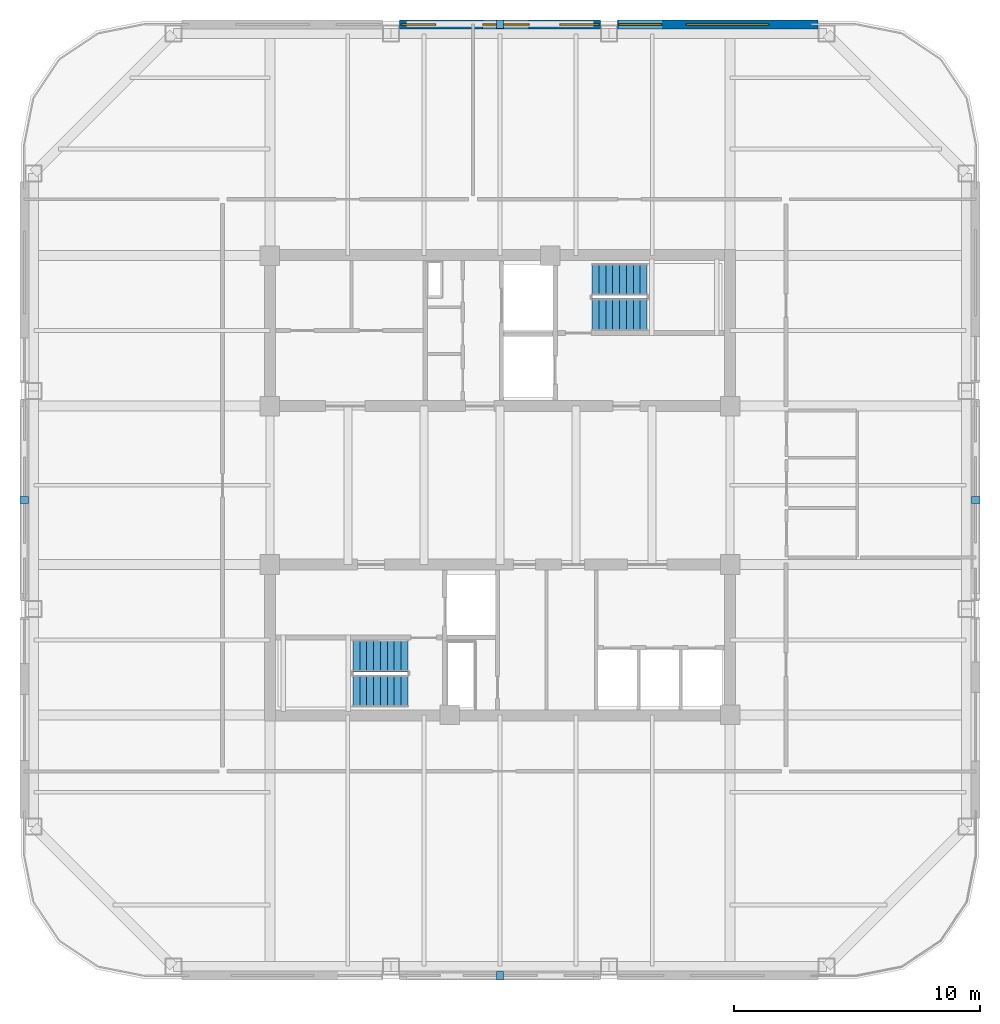
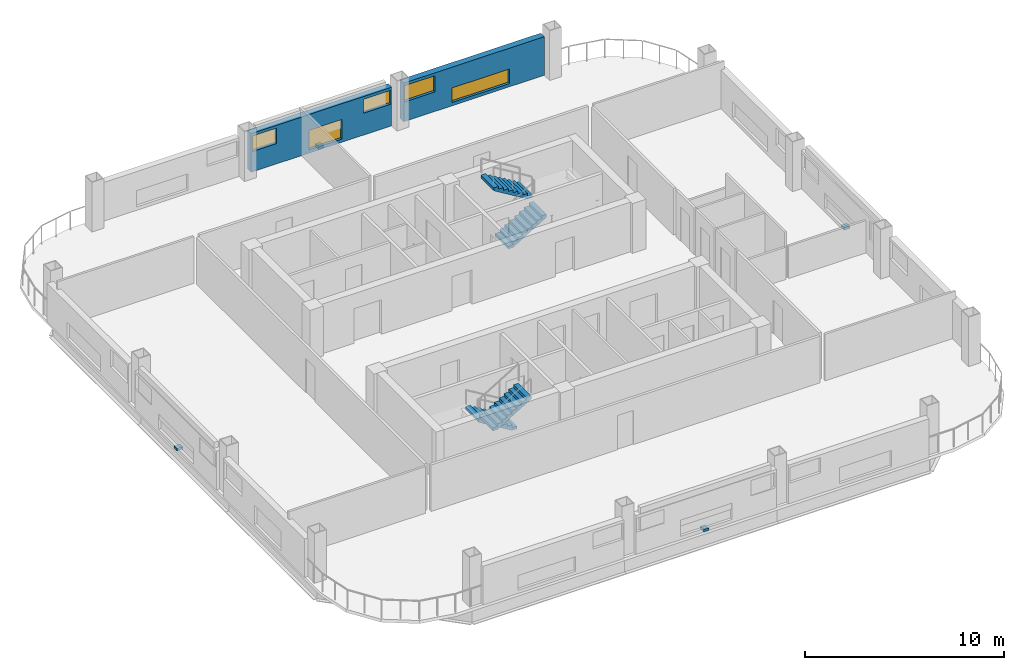
# One storey, part 5 of 8: 5 windows, 4 discrete accessories, 4 stair flights, 2 walls, 5 openings, 2 elements without a shape of their own.
"""IFC4 building model written with IfcOpenShell, lengths in metres."""

from ifc_helpers import new_model, si_unit, direction, frame, frame_2d, origin, origin_2d, place, context, subcontext, project, spatial, polyline, rectangle, outline, extrude, material, layer, layer_set, type_object, element, fill, aggregate, save


model = new_model("IFC4")

# Units and contexts
model_context = context("Model", 3, precision=1e-05, world=origin(), true_north=direction((0.0, 1.0)))
body_context = subcontext(model_context, "Body", "Model", "MODEL_VIEW")
ifc_project = project(units=[si_unit("LENGTHUNIT", "METRE"), si_unit("AREAUNIT", "SQUARE_METRE"), si_unit("VOLUMEUNIT", "CUBIC_METRE"), si_unit("PLANEANGLEUNIT", "RADIAN"), si_unit("MASSUNIT", "GRAM", prefix="KILO")], contexts=[model_context])

# Site, building, storey
site_placement = place(None, origin())
site = spatial("IfcSite", under=ifc_project, at=site_placement, CompositionType="ELEMENT")
building_placement = place(site_placement, origin())
building = spatial("IfcBuilding", under=site, at=building_placement, Name="Qhalaya Broadcast Tower", CompositionType="ELEMENT")
storey_placement = place(building_placement, frame((0.0, 0.0, 202.550048828125)))
storey = spatial("IfcBuildingStorey", under=building, at=storey_placement, Name="L59", CompositionType="ELEMENT", Elevation=202.550048828125)

# Wall, openings, windows
ifc_material_1 = material(Name="Precast Concrete C40/50", Category="concrete")
ifc_layer = layer(ifc_material_1, 0.360107421875, Name="Precast Concrete C40/50")
ifc_layer_set = layer_set([ifc_layer], Name="Precast Concrete C40/50")
wall_type = type_object("IfcWallType", Name="Insulated Precast Terracotta Exterior Wall 360", PredefinedType="SOLIDWALL", material=ifc_layer_set)
wall_1_placement = place(storey_placement, frame((-4.083251953125, 19.360107421875, 0.0), z_axis=(0.0, 0.0, 1.0), x_axis=(1.0, 0.0, 0.0)))
wall_1 = element("IfcWall", 1, at=wall_1_placement, inside=storey, type_object=wall_type, Name="L59 Exoskeleton Diagrid Infill Wall N2", PredefinedType="SOLIDWALL", context=body_context, shape_type="SweptSolid", body=[
    extrude(rectangle(XDim=8.16650390625, YDim=0.360107421875, at=frame_2d((4.083251953125, 0.0))), origin(), (0.0, 0.0, 1.0), 2.3740234375),
])
opening_1_placement = place(wall_1_placement, frame((0.071044921875, 0.0, 1.25)))
opening_1 = element("IfcOpeningElement", 2, at=opening_1_placement, cuts=wall_1, Name="Opening W13", PredefinedType="OPENING", context=body_context, shape_type="SweptSolid", body=[
    extrude(rectangle(XDim=1.39990234375, YDim=0.949951171875, at=frame_2d((0.699951171875, 0.47509765625))), frame((0.0, 0.192138671875, 0.0), z_axis=(0.0, -1.0, 0.0), x_axis=(1.0, 0.0, 0.0)), (0.0, 0.0, 1.0), 0.384033203125),
])
opening_2_placement = place(wall_1_placement, frame((3.37109375, 0.0, 0.199951171875)))
opening_2 = element("IfcOpeningElement", 3, at=opening_2_placement, cuts=wall_1, Name="Opening W13", PredefinedType="OPENING", context=body_context, shape_type="SweptSolid", body=[
    extrude(rectangle(XDim=1.89990234375, YDim=1.199951171875, at=frame_2d((0.949951171875, 0.60009765625))), frame((0.0, 0.192138671875, 0.0), z_axis=(0.0, -1.0, 0.0), x_axis=(1.0, 0.0, 0.0)), (0.0, 0.0, 1.0), 0.384033203125),
])
opening_3_placement = place(wall_1_placement, frame((6.52099609375, 0.0, 1.35009765625)))
opening_3 = element("IfcOpeningElement", 4, at=opening_3_placement, cuts=wall_1, Name="Opening W13", PredefinedType="OPENING", context=body_context, shape_type="SweptSolid", body=[
    extrude(rectangle(XDim=1.60009765625, YDim=0.85009765625, at=frame_2d((0.800048828125, 0.425048828125))), frame((0.0, 0.192138671875, 0.0), z_axis=(0.0, -1.0, 0.0), x_axis=(1.0, 0.0, 0.0)), (0.0, 0.0, 1.0), 0.384033203125),
])
ifc_material_2 = material(Name="Solar-Control Low-E Triple Glazing", Category="glass")
window_type = type_object("IfcWindowType", Name="Upper-Block Diagrid Infill Window W13", PartitioningType="SINGLE_PANEL", PredefinedType="WINDOW", material=ifc_material_2)
window_1_placement = place(opening_1_placement, origin())
window_1 = element("IfcWindow", 5, at=window_1_placement, inside=storey, type_object=window_type, Name="L59 Diagrid Infill Window W13-N3", OverallHeight=0.949951171875, OverallWidth=1.39990234375, PartitioningType="SINGLE_PANEL", PredefinedType="WINDOW", context=body_context, shape_type="SweptSolid", body=[
    extrude(rectangle(XDim=1.39990234375, YDim=0.949951171875, at=frame_2d((0.699951171875, 0.47509765625))), frame((0.0, 0.030029296875, 0.0), z_axis=(0.0, -1.0, 0.0), x_axis=(1.0, 0.0, 0.0)), (0.0, 0.0, 1.0), 0.06005859375),
])
fill(opening_1, window_1)
window_2_placement = place(opening_2_placement, origin())
window_2 = element("IfcWindow", 6, at=window_2_placement, inside=storey, type_object=window_type, Name="L59 Diagrid Infill Window W13-N4", OverallHeight=1.199951171875, OverallWidth=1.89990234375, PartitioningType="SINGLE_PANEL", PredefinedType="WINDOW", context=body_context, shape_type="SweptSolid", body=[
    extrude(rectangle(XDim=1.89990234375, YDim=1.199951171875, at=frame_2d((0.949951171875, 0.60009765625))), frame((0.0, 0.030029296875, 0.0), z_axis=(0.0, -1.0, 0.0), x_axis=(1.0, 0.0, 0.0)), (0.0, 0.0, 1.0), 0.06005859375),
])
fill(opening_2, window_2)
window_3_placement = place(opening_3_placement, origin())
window_3 = element("IfcWindow", 7, at=window_3_placement, inside=storey, type_object=window_type, Name="L59 Diagrid Infill Window W13-N5", OverallHeight=0.85009765625, OverallWidth=1.60009765625, PartitioningType="SINGLE_PANEL", PredefinedType="WINDOW", context=body_context, shape_type="SweptSolid", body=[
    extrude(rectangle(XDim=1.60009765625, YDim=0.85009765625, at=frame_2d((0.800048828125, 0.425048828125))), frame((0.0, 0.030029296875, 0.0), z_axis=(0.0, -1.0, 0.0), x_axis=(1.0, 0.0, 0.0)), (0.0, 0.0, 1.0), 0.06005859375),
])
fill(opening_3, window_3)

wall_2_placement = place(storey_placement, frame((4.783203125, 19.360107421875, 0.0), z_axis=(0.0, 0.0, 1.0), x_axis=(1.0, 0.0, 0.0)))
wall_2 = element("IfcWall", 8, at=wall_2_placement, inside=storey, type_object=wall_type, Name="L59 Exoskeleton Diagrid Infill Wall N3", PredefinedType="SOLIDWALL", context=body_context, shape_type="SweptSolid", body=[
    extrude(rectangle(XDim=8.1787109375, YDim=0.360107421875, at=frame_2d((4.08935546875, 0.0))), origin(), (0.0, 0.0, 1.0), 2.3740234375),
])
opening_4_placement = place(wall_2_placement, frame((0.054931640625, 0.0, 1.199951171875)))
opening_4 = element("IfcOpeningElement", 9, at=opening_4_placement, cuts=wall_2, Name="Opening W13", PredefinedType="OPENING", context=body_context, shape_type="SweptSolid", body=[
    extrude(rectangle(XDim=1.75, YDim=1.0, at=frame_2d((0.875, 0.5))), frame((0.0, 0.192138671875, 0.0), z_axis=(0.0, -1.0, 0.0), x_axis=(1.0, 0.0, 0.0)), (0.0, 0.0, 1.0), 0.384033203125),
])
opening_5_placement = place(wall_2_placement, frame((2.804931640625, 0.0, 0.199951171875)))
opening_5 = element("IfcOpeningElement", 10, at=opening_5_placement, cuts=wall_2, Name="Opening W13", PredefinedType="OPENING", context=body_context, shape_type="SweptSolid", body=[
    extrude(rectangle(XDim=3.35009765625, YDim=0.89990234375, at=frame_2d((1.675048828125, 0.449951171875))), frame((0.0, 0.192138671875, 0.0), z_axis=(0.0, -1.0, 0.0), x_axis=(1.0, 0.0, 0.0)), (0.0, 0.0, 1.0), 0.384033203125),
])
window_4_placement = place(opening_4_placement, origin())
window_4 = element("IfcWindow", 11, at=window_4_placement, inside=storey, type_object=window_type, Name="L59 Diagrid Infill Window W13-N6", OverallHeight=1.0, OverallWidth=1.75, PartitioningType="SINGLE_PANEL", PredefinedType="WINDOW", context=body_context, shape_type="SweptSolid", body=[
    extrude(rectangle(XDim=1.75, YDim=1.0, at=frame_2d((0.875, 0.5))), frame((0.0, 0.030029296875, 0.0), z_axis=(0.0, -1.0, 0.0), x_axis=(1.0, 0.0, 0.0)), (0.0, 0.0, 1.0), 0.06005859375),
])
fill(opening_4, window_4)
window_5_placement = place(opening_5_placement, origin())
window_5 = element("IfcWindow", 12, at=window_5_placement, inside=storey, type_object=window_type, Name="L59 Diagrid Infill Window W13-N7", OverallHeight=0.89990234375, OverallWidth=3.35009765625, PartitioningType="SINGLE_PANEL", PredefinedType="WINDOW", context=body_context, shape_type="SweptSolid", body=[
    extrude(rectangle(XDim=3.35009765625, YDim=0.89990234375, at=frame_2d((1.675048828125, 0.449951171875))), frame((0.0, 0.030029296875, 0.0), z_axis=(0.0, -1.0, 0.0), x_axis=(1.0, 0.0, 0.0)), (0.0, 0.0, 1.0), 0.06005859375),
])
fill(opening_5, window_5)

# Stair, stair flights
ifc_material_3 = material(Name="Concrete C40/50", Category="concrete")
stair_type = type_object("IfcStairType", Name="Protected Dogleg Core Stair 3150", PredefinedType="TWO_STRAIGHT_RUN_STAIR", material=ifc_material_3)
stair_1_placement = place(storey_placement, origin())
stair_1 = element("IfcStair", 13, at=stair_1_placement, inside=storey, type_object=stair_type, Name="L59 North Core Exit Stair ST-1", PredefinedType="TWO_STRAIGHT_RUN_STAIR")
stair_flight_type = type_object("IfcStairFlightType", Name="Precast Concrete Stair Flight 3150", PredefinedType="STRAIGHT", material=ifc_material_1)
stair_flight_1_placement = place(storey_placement, frame((3.75, 7.5400390625, 0.0), z_axis=(0.0, 0.0, 1.0), x_axis=(1.0, 0.0, 0.0)))
stair_flight_1 = element("IfcStairFlight", 14, at=stair_flight_1_placement, type_object=stair_flight_type, Name="ST-1 flight 1", NumberOfRisers=9, NumberOfTreads=8, PredefinedType="STRAIGHT", RiserHeight=0.169444444, TreadLength=0.28, context=body_context, shape_type="SweptSolid", body=[
    extrude(outline(polyline([(0.0, 0.0), (0.0, 0.16943359375), (0.280029296875, 0.16943359375), (0.280029296875, 0.3388671875), (0.56005859375, 0.3388671875), (0.56005859375, 0.50830078125), (0.840087890625, 0.50830078125), (0.840087890625, 0.677734375), (1.1201171875, 0.677734375), (1.1201171875, 0.84716796875), (1.39990234375, 0.84716796875), (1.39990234375, 1.0166015625), (1.679931640625, 1.0166015625), (1.679931640625, 1.18603515625), (1.9599609375, 1.18603515625), (1.9599609375, 1.35546875), (2.239990234375, 1.35546875), (2.239990234375, 1.52490234375), (2.239990234375, 1.180419921875), (0.28955078125, 0.0), (0.0, 0.0)])), frame((0.0, 0.66015625, 0.0), z_axis=(0.0, -1.0, 0.0), x_axis=(1.0, 0.0, 0.0)), (0.0, 0.0, 1.0), 1.320068359375),
])
stair_flight_2_placement = place(storey_placement, frame((5.989990234375, 8.97998046875, 1.52490234375), z_axis=(0.0, 0.0, 1.0), x_axis=(-1.0, 0.0, 0.0)))
stair_flight_2 = element("IfcStairFlight", 15, at=stair_flight_2_placement, type_object=stair_flight_type, Name="ST-1 flight 2", NumberOfRisers=9, NumberOfTreads=8, PredefinedType="STRAIGHT", RiserHeight=0.169444444, TreadLength=0.28, context=body_context, shape_type="SweptSolid", body=[
    extrude(outline(polyline([(0.0, 0.0), (0.0, 0.16943359375), (0.280029296875, 0.16943359375), (0.280029296875, 0.3388671875), (0.56005859375, 0.3388671875), (0.56005859375, 0.50830078125), (0.840087890625, 0.50830078125), (0.840087890625, 0.677734375), (1.1201171875, 0.677734375), (1.1201171875, 0.84716796875), (1.39990234375, 0.84716796875), (1.39990234375, 1.0166015625), (1.679931640625, 1.0166015625), (1.679931640625, 1.18603515625), (1.9599609375, 1.18603515625), (1.9599609375, 1.35546875), (2.239990234375, 1.35546875), (2.239990234375, 1.52490234375), (2.239990234375, 1.180419921875), (0.28955078125, 0.0), (0.0, 0.0)])), frame((0.0, 0.66015625, 0.0), z_axis=(0.0, -1.0, 0.0), x_axis=(1.0, 0.0, 0.0)), (0.0, 0.0, 1.0), 1.320068359375),
])
aggregate(stair_1, [stair_flight_1, stair_flight_2])

stair_2_placement = place(storey_placement, origin())
stair_2 = element("IfcStair", 16, at=stair_2_placement, inside=storey, type_object=stair_type, Name="L59 South Core Exit Stair ST-2", PredefinedType="TWO_STRAIGHT_RUN_STAIR")
stair_flight_3_placement = place(storey_placement, frame((-3.75, -6.340087890625, 0.0), z_axis=(0.0, 0.0, 1.0), x_axis=(-1.0, 0.0, 0.0)))
stair_flight_3 = element("IfcStairFlight", 17, at=stair_flight_3_placement, type_object=stair_flight_type, Name="ST-2 flight 1", NumberOfRisers=9, NumberOfTreads=8, PredefinedType="STRAIGHT", RiserHeight=0.169444444, TreadLength=0.28, context=body_context, shape_type="SweptSolid", body=[
    extrude(outline(polyline([(0.0, 0.0), (0.0, 0.16943359375), (0.280029296875, 0.16943359375), (0.280029296875, 0.3388671875), (0.56005859375, 0.3388671875), (0.56005859375, 0.50830078125), (0.840087890625, 0.50830078125), (0.840087890625, 0.677734375), (1.1201171875, 0.677734375), (1.1201171875, 0.84716796875), (1.39990234375, 0.84716796875), (1.39990234375, 1.0166015625), (1.679931640625, 1.0166015625), (1.679931640625, 1.18603515625), (1.9599609375, 1.18603515625), (1.9599609375, 1.35546875), (2.239990234375, 1.35546875), (2.239990234375, 1.52490234375), (2.239990234375, 1.180419921875), (0.28955078125, 0.0), (0.0, 0.0)])), frame((0.0, 0.66015625, 0.0), z_axis=(0.0, -1.0, 0.0), x_axis=(1.0, 0.0, 0.0)), (0.0, 0.0, 1.0), 1.320068359375),
])
stair_flight_4_placement = place(storey_placement, frame((-5.989990234375, -7.780029296875, 1.52490234375), z_axis=(0.0, 0.0, 1.0), x_axis=(1.0, 0.0, 0.0)))
stair_flight_4 = element("IfcStairFlight", 18, at=stair_flight_4_placement, type_object=stair_flight_type, Name="ST-2 flight 2", NumberOfRisers=9, NumberOfTreads=8, PredefinedType="STRAIGHT", RiserHeight=0.169444444, TreadLength=0.28, context=body_context, shape_type="SweptSolid", body=[
    extrude(outline(polyline([(0.0, 0.0), (0.0, 0.16943359375), (0.280029296875, 0.16943359375), (0.280029296875, 0.3388671875), (0.56005859375, 0.3388671875), (0.56005859375, 0.50830078125), (0.840087890625, 0.50830078125), (0.840087890625, 0.677734375), (1.1201171875, 0.677734375), (1.1201171875, 0.84716796875), (1.39990234375, 0.84716796875), (1.39990234375, 1.0166015625), (1.679931640625, 1.0166015625), (1.679931640625, 1.18603515625), (1.9599609375, 1.18603515625), (1.9599609375, 1.35546875), (2.239990234375, 1.35546875), (2.239990234375, 1.52490234375), (2.239990234375, 1.180419921875), (0.28955078125, 0.0), (0.0, 0.0)])), frame((0.0, 0.66015625, 0.0), z_axis=(0.0, -1.0, 0.0), x_axis=(1.0, 0.0, 0.0)), (0.0, 0.0, 1.0), 1.320068359375),
])
aggregate(stair_2, [stair_flight_3, stair_flight_4])

# Discrete accessories
ifc_material_4 = material(Name="Structural Steel ASTM A572 Grade 50", Category="steel")
discrete_accessory_type = type_object("IfcDiscreteAccessoryType", Name="Facade Baguette Support Bracket BRK-01", PredefinedType="BRACKET", material=ifc_material_4)
for number, where, z_axis, x_axis, name in (
    (19, (0.0, -19.3798828125, 0.0), (0.0, 0.0, 1.0), (1.0, 0.0, 0.0), "L59 Baguette Support Bracket S"),
    (20, (19.3798828125, 0.0, 0.0), (0.0, 0.0, 1.0), (0.0, 1.0, 0.0), "L59 Baguette Support Bracket E"),
    (21, (0.0, 19.3798828125, 0.0), (0.0, 0.0, 1.0), (-1.0, 0.0, 0.0), "L59 Baguette Support Bracket N"),
    (22, (-19.3798828125, 0.0, 0.0), (0.0, 0.0, 1.0), (0.0, -1.0, 0.0), "L59 Baguette Support Bracket W"),
):
    element("IfcDiscreteAccessory", number, at=place(storey_placement, frame(where, z_axis=z_axis, x_axis=x_axis)), inside=storey, type_object=discrete_accessory_type, Name=name, PredefinedType="BRACKET", context=body_context, shape_type="SweptSolid", body=[
        extrude(rectangle(XDim=0.300048828125, YDim=0.340087890625, at=origin_2d()), origin(), (0.0, 0.0, 1.0), 0.159912109375),
    ])

save(model, "model.ifc")
